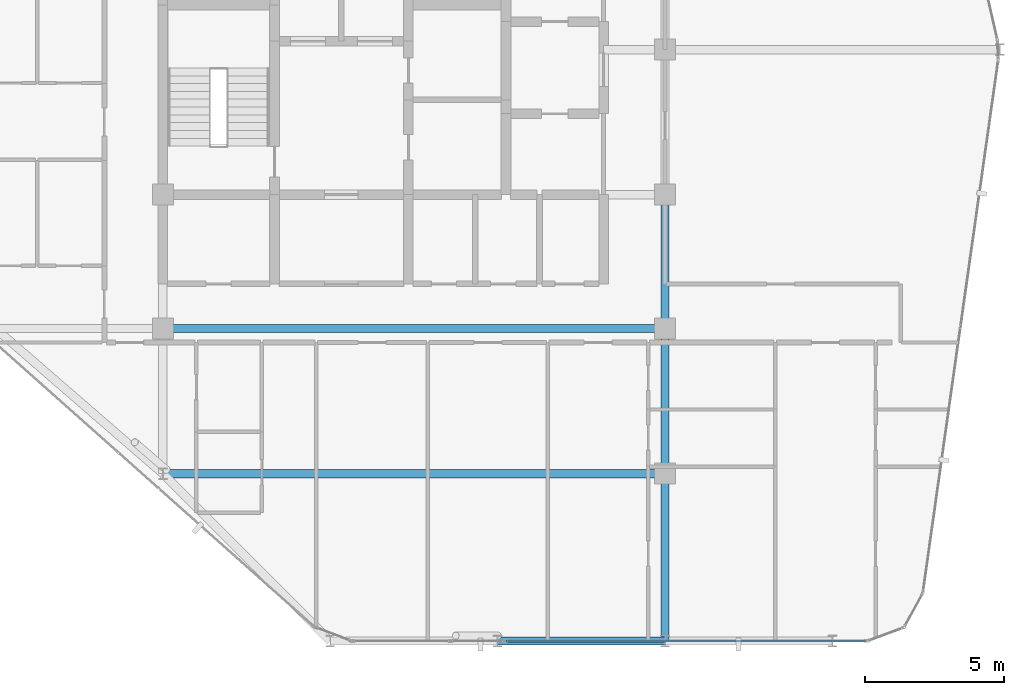
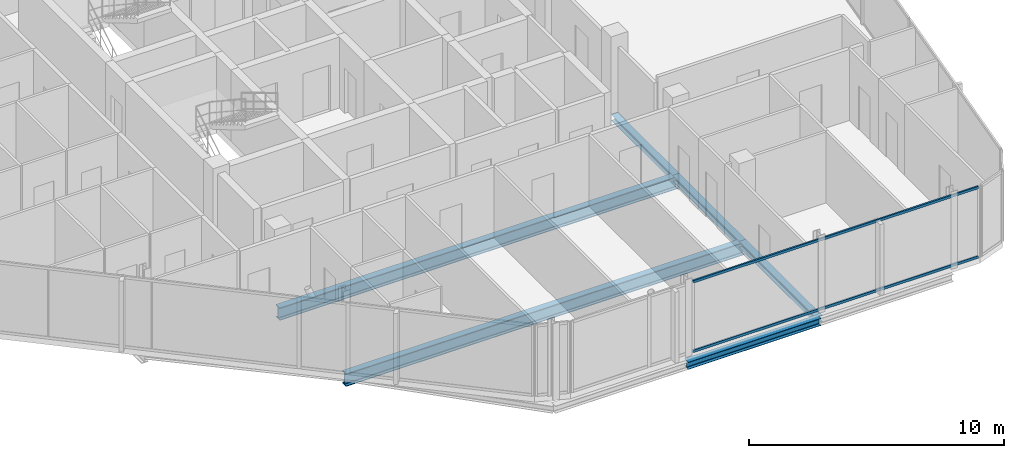
# One storey, part 7 of 27: 6 beams, 2 members, 1 element without a shape of its own.
"""IFC4 building model written with IfcOpenShell, lengths in metres."""

from ifc_helpers import new_model, si_unit, direction, frame, origin, origin_2d, place, context, subcontext, project, spatial, hollow_rectangle, i_section, extrude, material, layer, layer_set, material_profile, profile_set, type_object, element, aggregate, save


model = new_model("IFC4")

# Units and contexts
model_context = context("Model", 3, precision=1e-05, world=origin(), true_north=direction((0.0, 1.0)))
body_context = subcontext(model_context, "Body", "Model", "MODEL_VIEW")
ifc_project = project(units=[si_unit("LENGTHUNIT", "METRE"), si_unit("AREAUNIT", "SQUARE_METRE"), si_unit("VOLUMEUNIT", "CUBIC_METRE"), si_unit("PLANEANGLEUNIT", "RADIAN"), si_unit("MASSUNIT", "GRAM", prefix="KILO")], contexts=[model_context])

# Site, building, storey
site_placement = place(None, origin())
site = spatial("IfcSite", under=ifc_project, at=site_placement, CompositionType="ELEMENT")
building_placement = place(site_placement, origin())
building = spatial("IfcBuilding", under=site, at=building_placement, Name="Keshet Zoharim Tower", CompositionType="ELEMENT")
storey_placement = place(building_placement, frame((0.0, 0.0, 273.199951171875)))
storey = spatial("IfcBuildingStorey", under=building, at=storey_placement, Name="L68", CompositionType="ELEMENT", Elevation=273.199951171875)

# Beams
ifc_material_1 = material(Name="Steel S355", Category="steel")
ifc_material_profile_1 = material_profile(ifc_material_1, i_section(OverallWidth=0.300048828125, OverallDepth=0.60009765625, WebThickness=0.015380859375, FlangeThickness=0.030029296875, FilletRadius=0.027099609375, at=origin_2d()), Name="HEB600")
ifc_profile_set_1 = profile_set([ifc_material_profile_1], Name="Steel S355")
beam_type_1 = type_object("IfcBeamType", Name="BM-LNG-HB600", PredefinedType="BEAM", material=ifc_profile_set_1)
for number, where, z_axis, x_axis, name in (
    (1, (15.0, 12.699951171875, -0.60986328125), (1.0, 0.0, 0.0), (0.0, 1.0, 0.0), "L68 Primary Girder X-004"),
    (2, (15.0, 17.89990234375, -0.60986328125), (1.0, 0.0, 0.0), (0.0, 1.0, 0.0), "L68 Primary Girder X-006"),
):
    element("IfcBeam", number, at=place(storey_placement, frame(where, z_axis=z_axis, x_axis=x_axis)), inside=storey, type_object=beam_type_1, Name=name, PredefinedType="BEAM", context=body_context, shape_type="SweptSolid", body=[
        extrude(i_section(OverallWidth=0.300048828125, OverallDepth=0.60009765625, WebThickness=0.015380859375, FlangeThickness=0.030029296875, FilletRadius=0.027099609375, at=origin_2d()), origin(), (0.0, 0.0, 1.0), 18.0),
    ])
ifc_material_profile_2 = material_profile(ifc_material_1, i_section(OverallWidth=0.300048828125, OverallDepth=0.2900390625, WebThickness=0.008544921875, FlangeThickness=0.013916015625, FilletRadius=0.027099609375, at=origin_2d()), Name="HEA300")
ifc_profile_set_2 = profile_set([ifc_material_profile_2], Name="Steel S355")
beam_type_2 = type_object("IfcBeamType", Name="BM-PRI-HA300", PredefinedType="BEAM", material=ifc_profile_set_2)
beam_1_placement = place(storey_placement, frame((33.0, 6.699951171875, -0.454833984375), z_axis=(0.0, 1.0, 0.0), x_axis=(-1.0, 0.0, 0.0)))
element("IfcBeam", 3, at=beam_1_placement, inside=storey, type_object=beam_type_2, Name="L68 Primary Girder Y-004", PredefinedType="BEAM", context=body_context, shape_type="SweptSolid", body=[
    extrude(i_section(OverallWidth=0.300048828125, OverallDepth=0.2900390625, WebThickness=0.008544921875, FlangeThickness=0.013916015625, FilletRadius=0.027099609375, at=origin_2d()), origin(), (0.0, 0.0, 1.0), 6.0),
])
beam_2_placement = place(storey_placement, frame((33.0, 12.699951171875, -0.454833984375), z_axis=(0.0, 1.0, 0.0), x_axis=(-1.0, 0.0, 0.0)))
element("IfcBeam", 4, at=beam_2_placement, inside=storey, type_object=beam_type_2, Name="L68 Primary Girder Y-005", PredefinedType="BEAM", context=body_context, shape_type="SweptSolid", body=[
    extrude(i_section(OverallWidth=0.300048828125, OverallDepth=0.2900390625, WebThickness=0.008544921875, FlangeThickness=0.013916015625, FilletRadius=0.027099609375, at=origin_2d()), origin(), (0.0, 0.0, 1.0), 5.199951171875),
])
beam_3_placement = place(storey_placement, frame((33.0, 17.89990234375, -0.454833984375), z_axis=(0.0, 1.0, 0.0), x_axis=(-1.0, 0.0, 0.0)))
element("IfcBeam", 5, at=beam_3_placement, inside=storey, type_object=beam_type_2, Name="L68 Primary Girder Y-006", PredefinedType="BEAM", context=body_context, shape_type="SweptSolid", body=[
    extrude(i_section(OverallWidth=0.300048828125, OverallDepth=0.2900390625, WebThickness=0.008544921875, FlangeThickness=0.013916015625, FilletRadius=0.027099609375, at=origin_2d()), origin(), (0.0, 0.0, 1.0), 4.800048828125),
])
ifc_material_profile_3 = material_profile(ifc_material_1, i_section(OverallWidth=0.300048828125, OverallDepth=0.35009765625, WebThickness=0.010009765625, FlangeThickness=0.017578125, FilletRadius=0.027099609375, at=origin_2d()), Name="HEA360")
ifc_profile_set_3 = profile_set([ifc_material_profile_3], Name="Steel S355")
beam_type_3 = type_object("IfcBeamType", Name="BM-PRI-HA360", PredefinedType="BEAM", material=ifc_profile_set_3)
beam_4_placement = place(storey_placement, frame((27.0, 6.699951171875, -0.48486328125), z_axis=(1.0, 0.0, 0.0), x_axis=(0.0, 1.0, 0.0)))
element("IfcBeam", 6, at=beam_4_placement, inside=storey, type_object=beam_type_3, Name="L68 Primary Girder X-002", PredefinedType="BEAM", context=body_context, shape_type="SweptSolid", body=[
    extrude(i_section(OverallWidth=0.300048828125, OverallDepth=0.35009765625, WebThickness=0.010009765625, FlangeThickness=0.017578125, FilletRadius=0.027099609375, at=origin_2d()), origin(), (0.0, 0.0, 1.0), 6.0),
])

# Curtain wall, members
ifc_material_2 = material(Name="Aluminium 6063-T6", Category="aluminium")
ifc_layer = layer(ifc_material_2, 0.260009765625)
ifc_layer_set = layer_set([ifc_layer], Name="Aluminium 6063-T6")
curtain_wall_type = type_object("IfcCurtainWallType", Name="CW-SYS-06", PredefinedType="NOTDEFINED", material=ifc_layer_set)
curtain_wall_placement = place(storey_placement, origin())
curtain_wall = element("IfcCurtainWall", 7, at=curtain_wall_placement, inside=storey, type_object=curtain_wall_type, Name="L68 Unitised Curtain Wall 14", PredefinedType="NOTDEFINED")
ifc_material_profile_4 = material_profile(ifc_material_2, hollow_rectangle(XDim=0.074951171875, YDim=0.1201171875, WallThickness=0.00390625, at=origin_2d()), Name="TRN-75x120")
ifc_profile_set_4 = profile_set([ifc_material_profile_4], Name="Aluminium 6063-T6")
member_type = type_object("IfcMemberType", Name="CWT-T12", PredefinedType="USERDEFINED", material=ifc_profile_set_4)
member_1_placement = place(storey_placement, frame((40.193115234375, 6.699951171875, 0.03515625), z_axis=(-1.0, 0.0, 0.0), x_axis=(0.0, -1.0, 0.0)))
member_1 = element("IfcMember", 8, at=member_1_placement, type_object=member_type, Name="CW-06 transom 1.1", ObjectType="TRANSOM", PredefinedType="USERDEFINED", context=body_context, shape_type="SweptSolid", body=[
    extrude(hollow_rectangle(XDim=0.074951171875, YDim=0.1201171875, WallThickness=0.00390625, at=origin_2d()), origin(), (0.0, 0.0, 1.0), 12.898193359375),
])
member_2_placement = place(storey_placement, frame((40.193115234375, 6.699951171875, 3.35498046875), z_axis=(-1.0, 0.0, 0.0), x_axis=(0.0, -1.0, 0.0)))
member_2 = element("IfcMember", 9, at=member_2_placement, type_object=member_type, Name="CW-06 transom 1.2", ObjectType="TRANSOM", PredefinedType="USERDEFINED", context=body_context, shape_type="SweptSolid", body=[
    extrude(hollow_rectangle(XDim=0.074951171875, YDim=0.1201171875, WallThickness=0.00390625, at=origin_2d()), origin(), (0.0, 0.0, 1.0), 12.898193359375),
])
aggregate(curtain_wall, [member_1, member_2])

save(model, "model.ifc")
